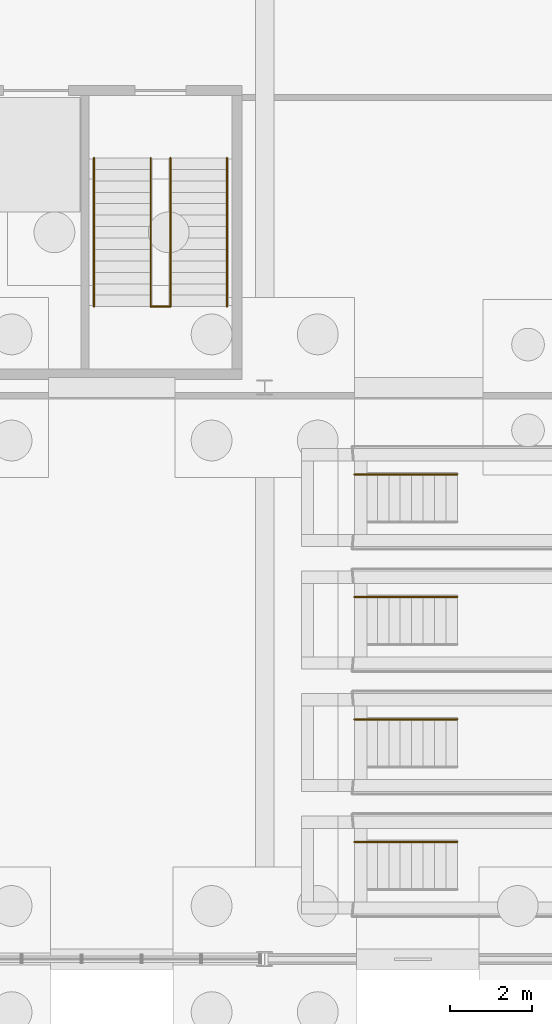
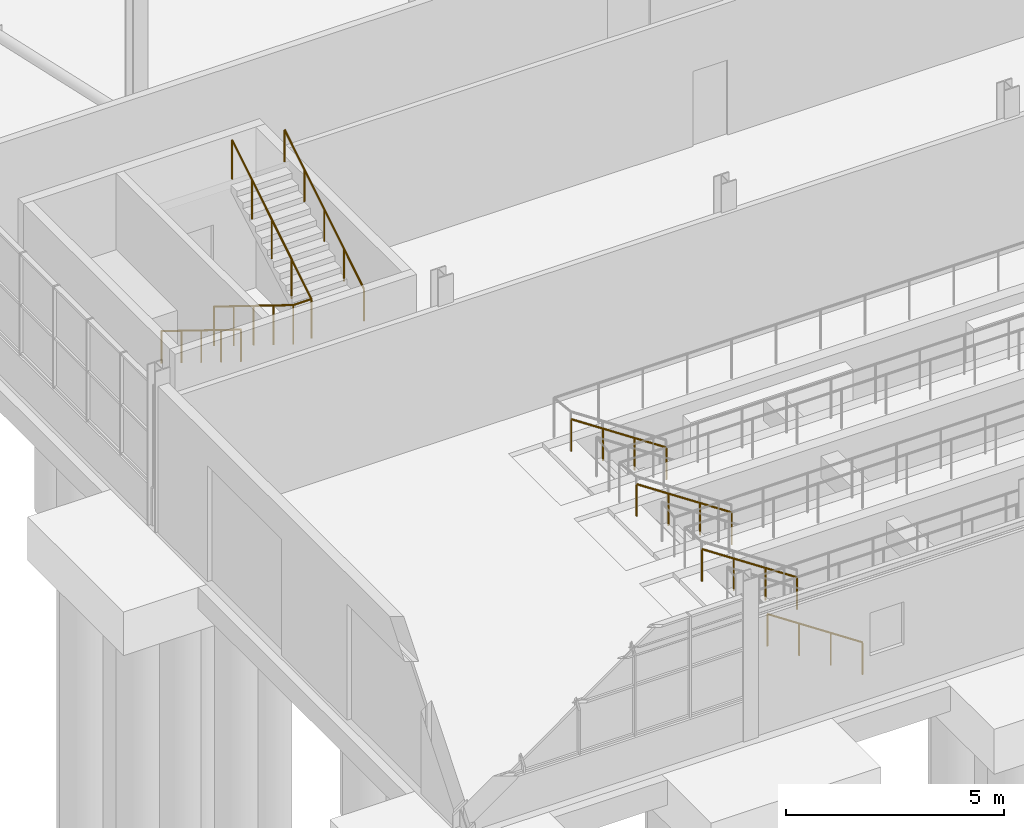
# One storey, part 123 of 136: 7 railings.
"""IFC4 building model written with IfcOpenShell, lengths in metres."""

from ifc_helpers import new_model, si_unit, direction, frame, origin, origin_2d, place, context, subcontext, project, spatial, circle, extrude, material, type_object, element, save


model = new_model("IFC4")

# Units and contexts
model_context = context("Model", 3, precision=1e-05, world=origin(), true_north=direction((0.0, 1.0)))
body_context = subcontext(model_context, "Body", "Model", "MODEL_VIEW")
ifc_project = project(units=[si_unit("LENGTHUNIT", "METRE"), si_unit("AREAUNIT", "SQUARE_METRE"), si_unit("VOLUMEUNIT", "CUBIC_METRE"), si_unit("PLANEANGLEUNIT", "RADIAN"), si_unit("MASSUNIT", "GRAM", prefix="KILO")], contexts=[model_context])

# Site, building, storey
site_placement = place(None, origin())
site = spatial("IfcSite", under=ifc_project, at=site_placement, CompositionType="ELEMENT")
building_placement = place(site_placement, origin())
building = spatial("IfcBuilding", under=site, at=building_placement, Name="Solvenia Promenade Tram Depot", CompositionType="ELEMENT")
storey_placement = place(building_placement, origin())
storey = spatial("IfcBuildingStorey", under=building, at=storey_placement, Name="L00", CompositionType="ELEMENT", Elevation=0.0)

# Railings
ifc_material = material(Name="Anodized aluminium AW-6063 T6", Category="aluminium")
railing_type_1 = type_object("IfcRailingType", Name="Guard-Stair-1100", PredefinedType="GUARDRAIL", material=ifc_material)
railing_1_placement = place(storey_placement, frame((109.7099609375, 43.6201171875, 0.0)))
element("IfcRailing", 1, at=railing_1_placement, inside=storey, type_object=railing_type_1, Name="Stair Inner Well Guard ST-05-L00", PredefinedType="GUARDRAIL", context=body_context, shape_type="SweptSolid", body=[
    extrude(circle(Radius=0.02392578125, at=origin_2d()), frame((0.0, 0.0, 1.09619140625), z_axis=(0.0, -0.850622404505, 0.525777067734), x_axis=(1.0, 0.0, 0.0)), (0.0, 0.0, 1.0), 4.279296875),
    extrude(circle(Radius=0.02392578125, at=origin_2d()), frame((0.0, -3.64013671875, 3.34619140625), z_axis=(1.0, 0.0, 0.0), x_axis=(0.0, 1.0, 0.0)), (0.0, 0.0, 1.0), 0.47998046875),
    extrude(circle(Radius=0.02392578125, at=origin_2d()), frame((0.47998046875, -3.64013671875, 3.34619140625), z_axis=(0.0, 0.850622404505, 0.525777067734), x_axis=(-1.0, 0.0, 0.0)), (0.0, 0.0, 1.0), 4.279296875),
    extrude(circle(Radius=0.02099609375, at=origin_2d()), origin(), (0.0, 0.0, 1.0), 1.072021484375),
    extrude(circle(Radius=0.02099609375, at=origin_2d()), frame((0.0, -0.91015625, 0.5625)), (0.0, 0.0, 1.0), 1.072021484375),
    extrude(circle(Radius=0.02099609375, at=origin_2d()), frame((0.0, -1.820068359375, 1.125)), (0.0, 0.0, 1.0), 1.072021484375),
    extrude(circle(Radius=0.02099609375, at=origin_2d()), frame((0.0, -2.72998046875, 1.6875)), (0.0, 0.0, 1.0), 1.072021484375),
    extrude(circle(Radius=0.02099609375, at=origin_2d()), frame((0.0, -3.64013671875, 2.25)), (0.0, 0.0, 1.0), 1.072021484375),
    extrude(circle(Radius=0.02099609375, at=origin_2d()), frame((0.47998046875, -3.64013671875, 2.25)), (0.0, 0.0, 1.0), 1.072021484375),
    extrude(circle(Radius=0.02099609375, at=origin_2d()), frame((0.47998046875, -2.72998046875, 2.8125)), (0.0, 0.0, 1.0), 1.072021484375),
    extrude(circle(Radius=0.02099609375, at=origin_2d()), frame((0.47998046875, -1.820068359375, 3.375)), (0.0, 0.0, 1.0), 1.072021484375),
    extrude(circle(Radius=0.02099609375, at=origin_2d()), frame((0.47998046875, -0.91015625, 3.9375)), (0.0, 0.0, 1.0), 1.072021484375),
    extrude(circle(Radius=0.02099609375, at=origin_2d()), frame((0.47998046875, 0.0, 4.5)), (0.0, 0.0, 1.0), 1.072021484375),
])
railing_type_2 = type_object("IfcRailingType", Name="Handrail-Stair-920", PredefinedType="HANDRAIL", material=ifc_material)
railing_2_placement = place(storey_placement, frame((108.320068359375, 43.6201171875, 0.0)))
element("IfcRailing", 2, at=railing_2_placement, inside=storey, type_object=railing_type_2, Name="Stair Wall Handrail ST-05-L00-F1", PredefinedType="HANDRAIL", context=body_context, shape_type="SweptSolid", body=[
    extrude(circle(Radius=0.02392578125, at=origin_2d()), frame((0.0, 0.0, 0.89599609375), z_axis=(0.0, -0.850622404505, 0.525777067734), x_axis=(1.0, 0.0, 0.0)), (0.0, 0.0, 1.0), 4.279296875),
    extrude(circle(Radius=0.02099609375, at=origin_2d()), origin(), (0.0, 0.0, 1.0), 0.871826171875),
    extrude(circle(Radius=0.02099609375, at=origin_2d()), frame((0.0, -0.91015625, 0.5625)), (0.0, 0.0, 1.0), 0.871826171875),
    extrude(circle(Radius=0.02099609375, at=origin_2d()), frame((0.0, -1.820068359375, 1.125)), (0.0, 0.0, 1.0), 0.871826171875),
    extrude(circle(Radius=0.02099609375, at=origin_2d()), frame((0.0, -2.72998046875, 1.6875)), (0.0, 0.0, 1.0), 0.871826171875),
    extrude(circle(Radius=0.02099609375, at=origin_2d()), frame((0.0, -3.64013671875, 2.25)), (0.0, 0.0, 1.0), 0.871826171875),
])
railing_3_placement = place(storey_placement, frame((111.580078125, 39.97998046875, 2.25)))
element("IfcRailing", 3, at=railing_3_placement, inside=storey, type_object=railing_type_2, Name="Stair Wall Handrail ST-05-L00-F2", PredefinedType="HANDRAIL", context=body_context, shape_type="SweptSolid", body=[
    extrude(circle(Radius=0.02392578125, at=origin_2d()), frame((0.0, 0.0, 0.89599609375), z_axis=(0.0, 0.850622404505, 0.525777067734), x_axis=(-1.0, 0.0, 0.0)), (0.0, 0.0, 1.0), 4.279296875),
    extrude(circle(Radius=0.02099609375, at=origin_2d()), origin(), (0.0, 0.0, 1.0), 0.871826171875),
    extrude(circle(Radius=0.02099609375, at=origin_2d()), frame((0.0, 0.91015625, 0.5625)), (0.0, 0.0, 1.0), 0.871826171875),
    extrude(circle(Radius=0.02099609375, at=origin_2d()), frame((0.0, 1.820068359375, 1.125)), (0.0, 0.0, 1.0), 0.871826171875),
    extrude(circle(Radius=0.02099609375, at=origin_2d()), frame((0.0, 2.72998046875, 1.6875)), (0.0, 0.0, 1.0), 0.871826171875),
    extrude(circle(Radius=0.02099609375, at=origin_2d()), frame((0.0, 3.64013671875, 2.25)), (0.0, 0.0, 1.0), 0.871826171875),
])
for number, where, name in (
    (4, (117.219970703125, 26.8701171875, -1.675048828125), "Inspection Pit Bay 1 Stair Handrail"),
    (5, (117.219970703125, 29.8701171875, -1.675048828125), "Inspection Pit Bay 2 Stair Handrail"),
    (6, (117.219970703125, 32.8701171875, -1.675048828125), "Inspection Pit Bay 3 Stair Handrail"),
    (7, (117.219970703125, 35.8701171875, -1.675048828125), "Inspection Pit Bay 4 Stair Handrail"),
):
    element("IfcRailing", number, at=place(storey_placement, frame(where)), inside=storey, type_object=railing_type_2, Name=name, PredefinedType="HANDRAIL", context=body_context, shape_type="SweptSolid", body=[
        extrude(circle(Radius=0.02392578125, at=origin_2d()), frame((0.0, 0.0, 0.89599609375), z_axis=(-0.832806695154, 0.0, 0.553563915467), x_axis=(0.0, -1.0, 0.0)), (0.0, 0.0, 1.0), 3.02587890625),
        extrude(circle(Radius=0.02099609375, at=origin_2d()), origin(), (0.0, 0.0, 1.0), 0.871826171875),
        extrude(circle(Radius=0.02099609375, at=origin_2d()), frame((-0.840087890625, 0.0, 0.558349609375)), (0.0, 0.0, 1.0), 0.871826171875),
        extrude(circle(Radius=0.02099609375, at=origin_2d()), frame((-1.679931640625, 0.0, 1.11669921875)), (0.0, 0.0, 1.0), 0.871826171875),
        extrude(circle(Radius=0.02099609375, at=origin_2d()), frame((-2.52001953125, 0.0, 1.675048828125)), (0.0, 0.0, 1.0), 0.871826171875),
    ])

save(model, "model.ifc")
